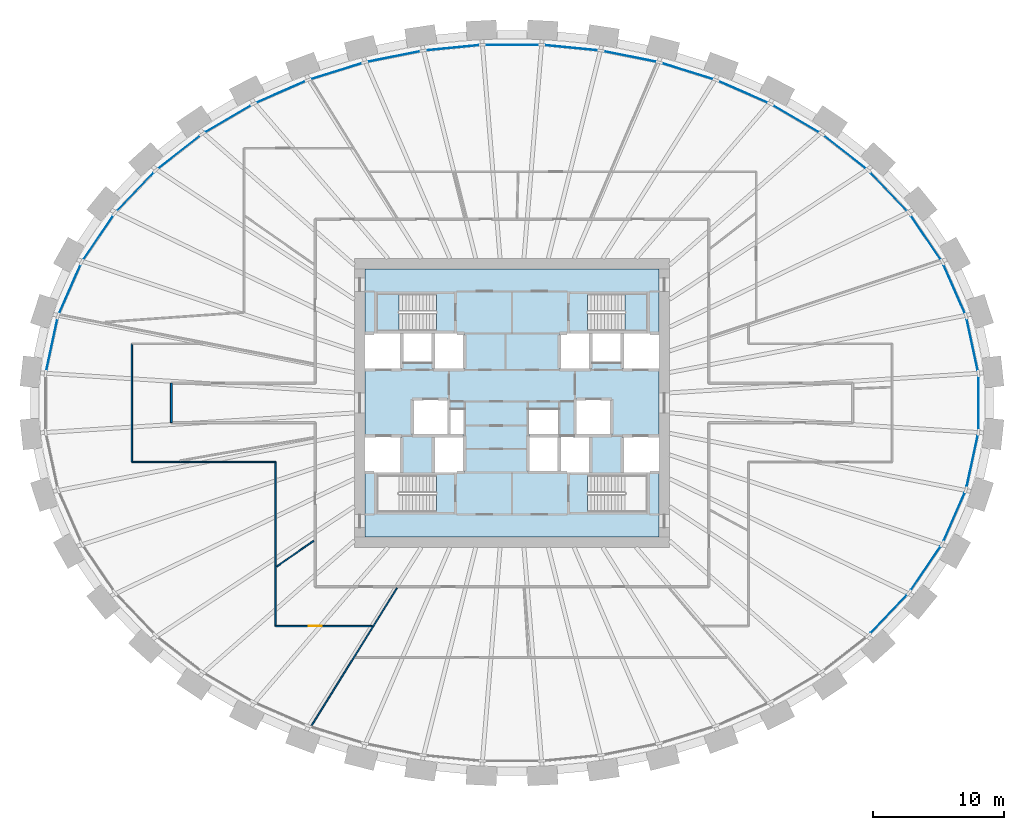
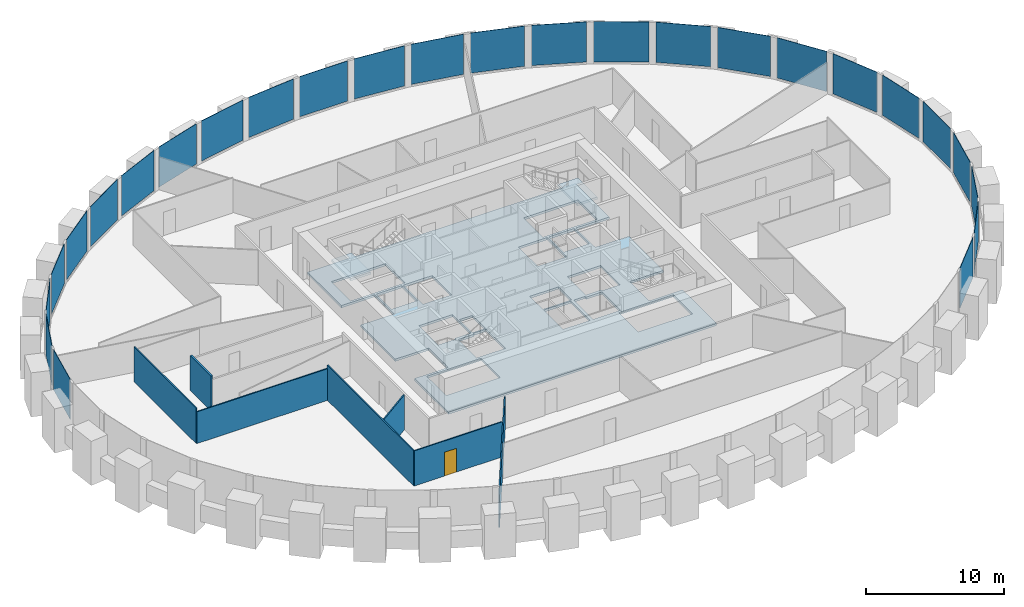
# One storey, part 5 of 11: 26 plates, 7 walls, 3 slabs, 1 door, 1 opening, 3 elements without a shape of their own.
"""IFC4 building model written with IfcOpenShell, lengths in metres."""

from ifc_helpers import new_model, si_unit, direction, frame, frame_2d, origin, origin_2d, place, context, subcontext, project, spatial, polyline, rectangle, outline, extrude, source, transform, mapped, material, layer, layer_set, type_object, element, fill, aggregate, save


model = new_model("IFC4")

# Units and contexts
model_context = context("Model", 3, precision=1e-05, world=origin(), true_north=direction((0.0, 1.0)))
body_context = subcontext(model_context, "Body", "Model", "MODEL_VIEW")
ifc_project = project(units=[si_unit("LENGTHUNIT", "METRE"), si_unit("AREAUNIT", "SQUARE_METRE"), si_unit("VOLUMEUNIT", "CUBIC_METRE"), si_unit("PLANEANGLEUNIT", "RADIAN"), si_unit("MASSUNIT", "GRAM", prefix="KILO")], contexts=[model_context])

# Site, building, storey
site_placement = place(None, origin())
site = spatial("IfcSite", under=ifc_project, at=site_placement, CompositionType="ELEMENT")
building_placement = place(site_placement, origin())
building = spatial("IfcBuilding", under=site, at=building_placement, Name="Embergate Tower", CompositionType="ELEMENT")
storey_placement = place(building_placement, frame((0.0, 0.0, 187.199951171875)))
storey = spatial("IfcBuildingStorey", under=building, at=storey_placement, Name="L42", CompositionType="ELEMENT", Elevation=187.199951171875)

# Curtain wall, plates
ifc_material_1 = material(Name="Aluminium and glass", Category="aluminium")
curtain_wall_type = type_object("IfcCurtainWallType", Name="Recessed office glazing", PredefinedType="NOTDEFINED", material=ifc_material_1)
curtain_wall_placement = place(storey_placement, origin())
curtain_wall = element("IfcCurtainWall", 1, at=curtain_wall_placement, inside=storey, type_object=curtain_wall_type, Name="Recessed office glazing ring", ObjectType="RECESSED OFFICE GLAZING", PredefinedType="USERDEFINED")
ifc_material_2 = material(Name="Triple glazing, low-emissivity coating", Category="glass")
ifc_layer_1 = layer(ifc_material_2, 0.035888671875)
ifc_layer_set_1 = layer_set([ifc_layer_1], Name="Triple glazing, low-emissivity coating")
plate_type = type_object("IfcPlateType", Name="Office glazing unit", PredefinedType="CURTAIN_PANEL", material=ifc_layer_set_1)
shared_shape_1 = source(origin(), body_context, "Body", "SweptSolid", [
    extrude(rectangle(XDim=3.961181640625, YDim=0.035888671875, at=origin_2d()), origin(), (0.0, 0.0, 1.0), 3.550048828125),
])
plate_1_placement = place(storey_placement, frame((35.046630859375, 4.4296875, 0.14990234375), z_axis=(0.0, 0.0, 1.0), x_axis=(-0.210396684915, 0.977616097953, 0.0)))
plate_1 = element("IfcPlate", 2, at=plate_1_placement, type_object=plate_type, Name="CW panel 1.1", PredefinedType="CURTAIN_PANEL", context=body_context, shape_type="MappedRepresentation", body=[
    mapped(shared_shape_1, transform((0.0, 0.0, 0.0))),
])
plate_2_placement = place(storey_placement, frame((-35.046630859375, 4.4296875, 0.14990234375), z_axis=(0.0, 0.0, 1.0), x_axis=(-0.210396684915, -0.977616097953, 0.0)))
plate_2 = element("IfcPlate", 3, at=plate_2_placement, type_object=plate_type, Name="CW panel 21.1", PredefinedType="CURTAIN_PANEL", context=body_context, shape_type="MappedRepresentation", body=[
    mapped(shared_shape_1, transform((0.0, 0.0, 0.0))),
])
plate_3_placement = place(storey_placement, frame((35.046630859375, -4.4296875, 0.14990234375), z_axis=(0.0, 0.0, 1.0), x_axis=(0.210396684915, 0.977616097953, 0.0)))
plate_3 = element("IfcPlate", 4, at=plate_3_placement, type_object=plate_type, Name="CW panel 43.1", PredefinedType="CURTAIN_PANEL", context=body_context, shape_type="MappedRepresentation", body=[
    mapped(shared_shape_1, transform((0.0, 0.0, 0.0))),
])
shared_shape_2 = source(origin(), body_context, "Body", "SweptSolid", [
    extrude(rectangle(XDim=3.96826171875, YDim=0.035888671875, at=origin_2d()), origin(), (0.0, 0.0, 1.0), 3.550048828125),
])
plate_4_placement = place(storey_placement, frame((33.673828125, 8.67529296875, 0.14990234375), z_axis=(0.0, 0.0, 1.0), x_axis=(-0.401650502798, 0.915793029894, 0.0)))
plate_4 = element("IfcPlate", 5, at=plate_4_placement, type_object=plate_type, Name="CW panel 2.1", PredefinedType="CURTAIN_PANEL", context=body_context, shape_type="MappedRepresentation", body=[
    mapped(shared_shape_2, transform((0.0, 0.0, 0.0))),
])
plate_5_placement = place(storey_placement, frame((-33.673828125, 8.67529296875, 0.14990234375), z_axis=(0.0, 0.0, 1.0), x_axis=(-0.401650502798, -0.915793029894, 0.0)))
plate_5 = element("IfcPlate", 6, at=plate_5_placement, type_object=plate_type, Name="CW panel 20.1", PredefinedType="CURTAIN_PANEL", context=body_context, shape_type="MappedRepresentation", body=[
    mapped(shared_shape_2, transform((0.0, 0.0, 0.0))),
])
plate_6_placement = place(storey_placement, frame((33.673828125, -8.67529296875, 0.14990234375), z_axis=(0.0, 0.0, 1.0), x_axis=(0.401650502798, 0.915793029894, 0.0)))
plate_6 = element("IfcPlate", 7, at=plate_6_placement, type_object=plate_type, Name="CW panel 42.1", PredefinedType="CURTAIN_PANEL", context=body_context, shape_type="MappedRepresentation", body=[
    mapped(shared_shape_2, transform((0.0, 0.0, 0.0))),
])
shared_shape_3 = source(origin(), body_context, "Body", "SweptSolid", [
    extrude(rectangle(XDim=3.976806640625, YDim=0.035888671875, at=origin_2d()), origin(), (0.0, 0.0, 1.0), 3.550048828125),
])
plate_7_placement = place(storey_placement, frame((31.508056640625, 12.589599609375, 0.14990234375), z_axis=(0.0, 0.0, 1.0), x_axis=(-0.562340298693, 0.826905912705, 0.0)))
plate_7 = element("IfcPlate", 8, at=plate_7_placement, type_object=plate_type, Name="CW panel 3.1", PredefinedType="CURTAIN_PANEL", context=body_context, shape_type="MappedRepresentation", body=[
    mapped(shared_shape_3, transform((0.0, 0.0, 0.0))),
])
plate_8_placement = place(storey_placement, frame((-31.508056640625, 12.589599609375, 0.14990234375), z_axis=(0.0, 0.0, 1.0), x_axis=(-0.562340298693, -0.826905912705, 0.0)))
plate_8 = element("IfcPlate", 9, at=plate_8_placement, type_object=plate_type, Name="CW panel 19.1", PredefinedType="CURTAIN_PANEL", context=body_context, shape_type="MappedRepresentation", body=[
    mapped(shared_shape_3, transform((0.0, 0.0, 0.0))),
])
plate_9_placement = place(storey_placement, frame((31.508056640625, -12.589599609375, 0.14990234375), z_axis=(0.0, 0.0, 1.0), x_axis=(0.562340298693, 0.826905912705, 0.0)))
plate_9 = element("IfcPlate", 10, at=plate_9_placement, type_object=plate_type, Name="CW panel 41.1", PredefinedType="CURTAIN_PANEL", context=body_context, shape_type="MappedRepresentation", body=[
    mapped(shared_shape_3, transform((0.0, 0.0, 0.0))),
])
shared_shape_4 = source(origin(), body_context, "Body", "SweptSolid", [
    extrude(rectangle(XDim=3.985595703125, YDim=0.035888671875, at=origin_2d()), origin(), (0.0, 0.0, 1.0), 3.550048828125),
])
plate_10_placement = place(storey_placement, frame((28.68896484375, 16.079345703125, 0.14990234375), z_axis=(0.0, 0.0, 1.0), x_axis=(-0.6901325214, 0.723683012724, 0.0)))
plate_10 = element("IfcPlate", 11, at=plate_10_placement, type_object=plate_type, Name="CW panel 4.1", PredefinedType="CURTAIN_PANEL", context=body_context, shape_type="MappedRepresentation", body=[
    mapped(shared_shape_4, transform((0.0, 0.0, 0.0))),
])
plate_11_placement = place(storey_placement, frame((-28.68896484375, 16.079345703125, 0.14990234375), z_axis=(0.0, 0.0, 1.0), x_axis=(-0.6901325214, -0.723683012724, 0.0)))
plate_11 = element("IfcPlate", 12, at=plate_11_placement, type_object=plate_type, Name="CW panel 18.1", PredefinedType="CURTAIN_PANEL", context=body_context, shape_type="MappedRepresentation", body=[
    mapped(shared_shape_4, transform((0.0, 0.0, 0.0))),
])
plate_12_placement = place(storey_placement, frame((28.68896484375, -16.079345703125, 0.14990234375), z_axis=(0.0, 0.0, 1.0), x_axis=(0.6901325214, 0.723683012724, 0.0)))
plate_12 = element("IfcPlate", 13, at=plate_12_placement, type_object=plate_type, Name="CW panel 40.1", PredefinedType="CURTAIN_PANEL", context=body_context, shape_type="MappedRepresentation", body=[
    mapped(shared_shape_4, transform((0.0, 0.0, 0.0))),
])
shared_shape_5 = source(origin(), body_context, "Body", "SweptSolid", [
    extrude(rectangle(XDim=3.992919921875, YDim=0.035888671875, at=origin_2d()), origin(), (0.0, 0.0, 1.0), 3.550048828125),
])
plate_13_placement = place(storey_placement, frame((25.35546875, 19.097900390625, 0.14990234375), z_axis=(0.0, 0.0, 1.0), x_axis=(-0.788317971569, 0.615268051911, 0.0)))
plate_13 = element("IfcPlate", 14, at=plate_13_placement, type_object=plate_type, Name="CW panel 5.1", PredefinedType="CURTAIN_PANEL", context=body_context, shape_type="MappedRepresentation", body=[
    mapped(shared_shape_5, transform((0.0, 0.0, 0.0))),
])
plate_14_placement = place(storey_placement, frame((-25.35546875, 19.097900390625, 0.14990234375), z_axis=(0.0, 0.0, 1.0), x_axis=(-0.788317971569, -0.615268051911, 0.0)))
plate_14 = element("IfcPlate", 15, at=plate_14_placement, type_object=plate_type, Name="CW panel 17.1", PredefinedType="CURTAIN_PANEL", context=body_context, shape_type="MappedRepresentation", body=[
    mapped(shared_shape_5, transform((0.0, 0.0, 0.0))),
])
shared_shape_6 = source(origin(), body_context, "Body", "SweptSolid", [
    extrude(rectangle(XDim=3.9990234375, YDim=0.035888671875, at=origin_2d()), origin(), (0.0, 0.0, 1.0), 3.550048828125),
])
plate_15_placement = place(storey_placement, frame((21.62890625, 21.631591796875, 0.14990234375), z_axis=(0.0, 0.0, 1.0), x_axis=(-0.862051398678, 0.50682086188, 0.0)))
plate_15 = element("IfcPlate", 16, at=plate_15_placement, type_object=plate_type, Name="CW panel 6.1", PredefinedType="CURTAIN_PANEL", context=body_context, shape_type="MappedRepresentation", body=[
    mapped(shared_shape_6, transform((0.0, 0.0, 0.0))),
])
plate_16_placement = place(storey_placement, frame((-21.62890625, 21.631591796875, 0.14990234375), z_axis=(0.0, 0.0, 1.0), x_axis=(-0.862051398678, -0.50682086188, 0.0)))
plate_16 = element("IfcPlate", 17, at=plate_16_placement, type_object=plate_type, Name="CW panel 16.1", PredefinedType="CURTAIN_PANEL", context=body_context, shape_type="MappedRepresentation", body=[
    mapped(shared_shape_6, transform((0.0, 0.0, 0.0))),
])
shared_shape_7 = source(origin(), body_context, "Body", "SweptSolid", [
    extrude(rectangle(XDim=4.00341796875, YDim=0.035888671875, at=origin_2d()), origin(), (0.0, 0.0, 1.0), 3.550048828125),
])
plate_17_placement = place(storey_placement, frame((17.608642578125, 23.682861328125, 0.14990234375), z_axis=(0.0, 0.0, 1.0), x_axis=(-0.916234813243, 0.400641694037, 0.0)))
plate_17 = element("IfcPlate", 18, at=plate_17_placement, type_object=plate_type, Name="CW panel 7.1", PredefinedType="CURTAIN_PANEL", context=body_context, shape_type="MappedRepresentation", body=[
    mapped(shared_shape_7, transform((0.0, 0.0, 0.0))),
])
plate_18_placement = place(storey_placement, frame((-17.608642578125, 23.682861328125, 0.14990234375), z_axis=(0.0, 0.0, 1.0), x_axis=(-0.916234813243, -0.400641694037, 0.0)))
plate_18 = element("IfcPlate", 19, at=plate_18_placement, type_object=plate_type, Name="CW panel 15.1", PredefinedType="CURTAIN_PANEL", context=body_context, shape_type="MappedRepresentation", body=[
    mapped(shared_shape_7, transform((0.0, 0.0, 0.0))),
])
shared_shape_8 = source(origin(), body_context, "Body", "SweptSolid", [
    extrude(rectangle(XDim=4.0068359375, YDim=0.035888671875, at=origin_2d()), origin(), (0.0, 0.0, 1.0), 3.550048828125),
])
plate_19_placement = place(storey_placement, frame((13.37548828125, 25.261962890625, 0.14990234375), z_axis=(0.0, 0.0, 1.0), x_axis=(-0.954771179262, 0.297341546458, 0.0)))
plate_19 = element("IfcPlate", 20, at=plate_19_placement, type_object=plate_type, Name="CW panel 8.1", PredefinedType="CURTAIN_PANEL", context=body_context, shape_type="MappedRepresentation", body=[
    mapped(shared_shape_8, transform((0.0, 0.0, 0.0))),
])
plate_20_placement = place(storey_placement, frame((-13.37548828125, 25.261962890625, 0.14990234375), z_axis=(0.0, 0.0, 1.0), x_axis=(-0.954771179262, -0.297341546458, 0.0)))
plate_20 = element("IfcPlate", 21, at=plate_20_placement, type_object=plate_type, Name="CW panel 14.1", PredefinedType="CURTAIN_PANEL", context=body_context, shape_type="MappedRepresentation", body=[
    mapped(shared_shape_8, transform((0.0, 0.0, 0.0))),
])
shared_shape_9 = source(origin(), body_context, "Body", "SweptSolid", [
    extrude(rectangle(XDim=4.009033203125, YDim=0.035888671875, at=origin_2d()), origin(), (0.0, 0.0, 1.0), 3.550048828125),
])
plate_21_placement = place(storey_placement, frame((8.994140625, 26.380126953125, 0.14990234375), z_axis=(0.0, 0.0, 1.0), x_axis=(-0.980475564207, 0.196640962142, 0.0)))
plate_21 = element("IfcPlate", 22, at=plate_21_placement, type_object=plate_type, Name="CW panel 9.1", PredefinedType="CURTAIN_PANEL", context=body_context, shape_type="MappedRepresentation", body=[
    mapped(shared_shape_9, transform((0.0, 0.0, 0.0))),
])
plate_22_placement = place(storey_placement, frame((-8.994140625, 26.380126953125, 0.14990234375), z_axis=(0.0, 0.0, 1.0), x_axis=(-0.980475564207, -0.196640962142, 0.0)))
plate_22 = element("IfcPlate", 23, at=plate_22_placement, type_object=plate_type, Name="CW panel 13.1", PredefinedType="CURTAIN_PANEL", context=body_context, shape_type="MappedRepresentation", body=[
    mapped(shared_shape_9, transform((0.0, 0.0, 0.0))),
])
shared_shape_10 = source(origin(), body_context, "Body", "SweptSolid", [
    extrude(rectangle(XDim=4.01025390625, YDim=0.035888671875, at=origin_2d()), origin(), (0.0, 0.0, 1.0), 3.550048828125),
])
plate_23_placement = place(storey_placement, frame((4.51953125, 27.047119140625, 0.14990234375), z_axis=(0.0, 0.0, 1.0), x_axis=(-0.995203184788, 0.097829550688, 0.0)))
plate_23 = element("IfcPlate", 24, at=plate_23_placement, type_object=plate_type, Name="CW panel 10.1", PredefinedType="CURTAIN_PANEL", context=body_context, shape_type="MappedRepresentation", body=[
    mapped(shared_shape_10, transform((0.0, 0.0, 0.0))),
])
plate_24_placement = place(storey_placement, frame((-4.51953125, 27.047119140625, 0.14990234375), z_axis=(0.0, 0.0, 1.0), x_axis=(-0.995203184788, -0.097829550688, 0.0)))
plate_24 = element("IfcPlate", 25, at=plate_24_placement, type_object=plate_type, Name="CW panel 12.1", PredefinedType="CURTAIN_PANEL", context=body_context, shape_type="MappedRepresentation", body=[
    mapped(shared_shape_10, transform((0.0, 0.0, 0.0))),
])
shared_shape_11 = source(origin(), body_context, "Body", "SweptSolid", [
    extrude(rectangle(XDim=4.010498046875, YDim=0.035888671875, at=origin_2d()), origin(), (0.0, 0.0, 1.0), 3.550048828125),
])
plate_25_placement = place(storey_placement, frame((0.0, 27.268798828125, 0.14990234375), z_axis=(0.0, 0.0, 1.0), x_axis=(-1.0, 0.0, 0.0)))
plate_25 = element("IfcPlate", 26, at=plate_25_placement, type_object=plate_type, Name="CW panel 11.1", PredefinedType="CURTAIN_PANEL", context=body_context, shape_type="MappedRepresentation", body=[
    mapped(shared_shape_11, transform((0.0, 0.0, 0.0))),
])
shared_shape_12 = source(origin(), body_context, "Body", "SweptSolid", [
    extrude(rectangle(XDim=3.95849609375, YDim=0.035888671875, at=origin_2d()), origin(), (0.0, 0.0, 1.0), 3.550048828125),
])
plate_26_placement = place(storey_placement, frame((35.51806640625, 0.0, 0.14990234375), z_axis=(0.0, 0.0, 1.0), x_axis=(0.0, 1.0, 0.0)))
plate_26 = element("IfcPlate", 27, at=plate_26_placement, type_object=plate_type, Name="CW panel 44.1", PredefinedType="CURTAIN_PANEL", context=body_context, shape_type="MappedRepresentation", body=[
    mapped(shared_shape_12, transform((0.0, 0.0, 0.0))),
])
aggregate(curtain_wall, [plate_1, plate_4, plate_7, plate_10, plate_13, plate_15, plate_17, plate_19, plate_21, plate_23, plate_25, plate_24, plate_22, plate_20, plate_18, plate_16, plate_14, plate_11, plate_8, plate_5, plate_2, plate_12, plate_9, plate_6, plate_3, plate_26])

# Stair, slab
ifc_material_3 = material(Name="Exit stair")
stair_type = type_object("IfcStairType", Name="Exit stair", PredefinedType="HALF_TURN_STAIR", material=ifc_material_3)
stair_1_placement = place(storey_placement, origin())
stair_1 = element("IfcStair", 28, at=stair_1_placement, inside=storey, type_object=stair_type, Name="L42 Exit stair 1", PredefinedType="HALF_TURN_STAIR")
ifc_material_4 = material(Name="Concrete C40", Category="concrete")
ifc_layer_2 = layer(ifc_material_4, 0.199951171875)
ifc_layer_set_2 = layer_set([ifc_layer_2], Name="Concrete C40")
slab_type_1 = type_object("IfcSlabType", Name="Stair landing reinforced concrete", PredefinedType="LANDING", material=ifc_layer_set_2)
shared_shape_13 = source(origin(), body_context, "Body", "SweptSolid", [
    extrude(outline(polyline([(0.0, 0.0), (1.68994140625, 0.0), (1.68994140625, 2.800048828125), (0.0, 2.800048828125), (0.0, 0.0)])), origin(), (0.0, 0.0, 1.0), 0.199951171875),
])
slab_1_placement = place(storey_placement, frame((-10.300048828125, 5.5, 1.75)))
slab_1 = element("IfcSlab", 29, at=slab_1_placement, type_object=slab_type_1, Name="ST1 landing 1", PredefinedType="LANDING", context=body_context, shape_type="MappedRepresentation", body=[
    mapped(shared_shape_13, transform((0.0, 0.0, 0.0))),
])
aggregate(stair_1, [slab_1])

stair_2_placement = place(storey_placement, origin())
stair_2 = element("IfcStair", 30, at=stair_2_placement, inside=storey, type_object=stair_type, Name="L42 Exit stair 2", PredefinedType="HALF_TURN_STAIR")
slab_2_placement = place(storey_placement, frame((8.610107421875, 5.5, 1.75)))
slab_2 = element("IfcSlab", 31, at=slab_2_placement, type_object=slab_type_1, Name="ST2 landing 1", PredefinedType="LANDING", context=body_context, shape_type="MappedRepresentation", body=[
    mapped(shared_shape_13, transform((0.0, 0.0, 0.0))),
])
aggregate(stair_2, [slab_2])

# Slab
ifc_layer_3 = layer(ifc_material_4, 0.199951171875)
ifc_layer_set_3 = layer_set([ifc_layer_3], Name="Concrete C40")
slab_type_2 = type_object("IfcSlabType", Name="Core floor slab 200 reinforced concrete", PredefinedType="FLOOR", material=ifc_layer_set_3)
shared_shape_14 = source(origin(), body_context, "Body", "SweptSolid", [
    extrude(outline(polyline([(0.0, 0.0), (22.39990234375, 0.0), (22.39990234375, 4.89990234375), (19.599853515625, 4.89990234375), (19.599853515625, 7.699951171875), (22.39990234375, 7.699951171875), (22.39990234375, 12.699951171875), (19.599853515625, 12.699951171875), (19.599853515625, 15.5), (22.39990234375, 15.5), (22.39990234375, 20.39990234375), (0.0, 20.39990234375), (0.0, 15.5), (2.800048828125, 15.5), (2.800048828125, 12.699951171875), (0.0, 12.699951171875), (0.0, 7.699951171875), (2.800048828125, 7.699951171875), (2.800048828125, 4.89990234375), (0.0, 4.89990234375), (0.0, 0.0)]), holes=[polyline([(0.89990234375, 1.89990234375), (0.89990234375, 4.699951171875), (5.43994140625, 4.699951171875), (5.43994140625, 1.89990234375), (0.89990234375, 1.89990234375)]), polyline([(16.9599609375, 1.89990234375), (16.9599609375, 4.699951171875), (21.5, 4.699951171875), (21.5, 1.89990234375), (16.9599609375, 1.89990234375)]), polyline([(5.199951171875, 4.89990234375), (5.199951171875, 7.574951171875), (6.52490234375, 7.574951171875), (6.52490234375, 7.699951171875), (7.599853515625, 7.699951171875), (7.599853515625, 4.89990234375), (5.199951171875, 4.89990234375)]), polyline([(12.39990234375, 4.89990234375), (12.39990234375, 7.699951171875), (14.675048828125, 7.699951171875), (14.675048828125, 4.89990234375), (12.39990234375, 4.89990234375)]), polyline([(14.925048828125, 4.89990234375), (14.925048828125, 7.699951171875), (15.875, 7.699951171875), (15.875, 7.574951171875), (17.199951171875, 7.574951171875), (17.199951171875, 4.89990234375), (14.925048828125, 4.89990234375)]), polyline([(3.599853515625, 7.699951171875), (3.599853515625, 10.5), (6.39990234375, 10.5), (6.39990234375, 7.824951171875), (5.074951171875, 7.824951171875), (5.074951171875, 7.699951171875), (3.599853515625, 7.699951171875)]), polyline([(17.324951171875, 7.699951171875), (17.324951171875, 7.824951171875), (16.0, 7.824951171875), (16.0, 10.5), (18.800048828125, 10.5), (18.800048828125, 7.699951171875), (17.324951171875, 7.699951171875)]), polyline([(6.52490234375, 7.824951171875), (6.52490234375, 9.699951171875), (7.599853515625, 9.699951171875), (7.599853515625, 7.824951171875), (6.52490234375, 7.824951171875)]), polyline([(12.39990234375, 7.824951171875), (12.39990234375, 9.699951171875), (14.800048828125, 9.699951171875), (14.800048828125, 7.824951171875), (14.675048828125, 7.824951171875), (12.39990234375, 7.824951171875)]), polyline([(5.199951171875, 12.699951171875), (5.199951171875, 15.5), (7.599853515625, 15.5), (7.599853515625, 12.699951171875), (5.199951171875, 12.699951171875)]), polyline([(14.800048828125, 12.699951171875), (14.800048828125, 15.5), (17.199951171875, 15.5), (17.199951171875, 12.699951171875), (14.800048828125, 12.699951171875)]), polyline([(2.925048828125, 13.300048828125), (2.925048828125, 15.5), (5.074951171875, 15.5), (5.074951171875, 13.300048828125), (2.925048828125, 13.300048828125)]), polyline([(17.324951171875, 13.300048828125), (17.324951171875, 15.5), (19.474853515625, 15.5), (19.474853515625, 13.300048828125), (17.324951171875, 13.300048828125)]), polyline([(0.89990234375, 15.699951171875), (0.89990234375, 18.5), (5.43994140625, 18.5), (5.43994140625, 15.699951171875), (0.89990234375, 15.699951171875)]), polyline([(16.9599609375, 15.699951171875), (16.9599609375, 18.5), (21.5, 18.5), (21.5, 15.699951171875), (16.9599609375, 15.699951171875)])]), origin(), (0.0, 0.0, 1.0), 0.199951171875),
])
slab_3_placement = place(storey_placement, frame((-11.199951171875, -10.199951171875, -0.199951171875)))
element("IfcSlab", 32, at=slab_3_placement, inside=storey, type_object=slab_type_2, Name="Core floor slab", PredefinedType="FLOOR", context=body_context, shape_type="MappedRepresentation", body=[
    mapped(shared_shape_14, transform((0.0, 0.0, 0.0))),
])

# Walls
ifc_material_5 = material(Name="Partition dry-lined 100")
ifc_layer_4 = layer(ifc_material_5, 0.10009765625)
ifc_layer_set_4 = layer_set([ifc_layer_4], Name="Partition dry-lined 100")
wall_type_1 = type_object("IfcWallType", Name="Partition dry-lined 100", PredefinedType="PARTITIONING", material=ifc_layer_set_4)
shared_shape_15 = source(origin(), body_context, "Body", "SweptSolid", [
    extrude(rectangle(XDim=10.949951171875, YDim=0.10009765625, at=frame_2d((5.47509765625, 0.0))), origin(), (0.0, 0.0, 1.0), 2.800048828125),
])
wall_1_placement = place(storey_placement, frame((-18.0, -4.5, 0.0), z_axis=(0.0, 0.0, 1.0), x_axis=(-1.0, 0.0, 0.0)))
element("IfcWall", 33, at=wall_1_placement, inside=storey, type_object=wall_type_1, Name="IP-1 wall", PredefinedType="PARTITIONING", context=body_context, shape_type="MappedRepresentation", body=[
    mapped(shared_shape_15, transform((0.0, 0.0, 0.0))),
])
ifc_material_6 = material(Name="Corridor wall dry-lined 150")
ifc_layer_5 = layer(ifc_material_6, 0.14990234375)
ifc_layer_set_5 = layer_set([ifc_layer_5], Name="Corridor wall dry-lined 150")
wall_type_2 = type_object("IfcWallType", Name="Corridor wall dry-lined 150", PredefinedType="PARTITIONING", material=ifc_layer_set_5)
shared_shape_16 = source(origin(), body_context, "Body", "SweptSolid", [
    extrude(rectangle(XDim=3.0, YDim=0.14990234375, at=frame_2d((1.5, 0.0))), origin(), (0.0, 0.0, 1.0), 3.10009765625),
])
wall_2_placement = place(storey_placement, frame((-25.949951171875, -1.5, 0.0), z_axis=(0.0, 0.0, 1.0), x_axis=(0.0, 1.0, 0.0)))
element("IfcWall", 34, at=wall_2_placement, inside=storey, type_object=wall_type_2, Name="IP-2 wall", PredefinedType="PARTITIONING", context=body_context, shape_type="MappedRepresentation", body=[
    mapped(shared_shape_16, transform((0.0, 0.0, 0.0))),
])
shared_shape_17 = source(origin(), body_context, "Body", "SweptSolid", [
    extrude(rectangle(XDim=12.42578125, YDim=0.10009765625, at=frame_2d((6.212890625, 0.0))), origin(), (0.0, 0.0, 1.0), 2.900146484375),
])
wall_3_placement = place(storey_placement, frame((-8.760009765625, -14.10107421875, 0.0), z_axis=(0.0, 0.0, 1.0), x_axis=(-0.527685134625, -0.849440050089, 0.0)))
element("IfcWall", 35, at=wall_3_placement, inside=storey, type_object=wall_type_1, Name="IP-1 wall", PredefinedType="PARTITIONING", context=body_context, shape_type="MappedRepresentation", body=[
    mapped(shared_shape_17, transform((0.0, 0.0, 0.0))),
])
shared_shape_18 = source(origin(), body_context, "Body", "SweptSolid", [
    extrude(rectangle(XDim=12.5, YDim=0.10009765625, at=frame_2d((6.25, 0.0))), origin(), (0.0, 0.0, 1.0), 3.10009765625),
])
wall_4_placement = place(storey_placement, frame((-18.0, -17.0, 0.0), z_axis=(0.0, 0.0, 1.0), x_axis=(0.0, 1.0, 0.0)))
element("IfcWall", 36, at=wall_4_placement, inside=storey, type_object=wall_type_1, Name="IP-1 wall", PredefinedType="PARTITIONING", context=body_context, shape_type="MappedRepresentation", body=[
    mapped(shared_shape_18, transform((0.0, 0.0, 0.0))),
])
shared_shape_19 = source(origin(), body_context, "Body", "SweptSolid", [
    extrude(rectangle(XDim=9.0, YDim=0.10009765625, at=frame_2d((4.5, 0.0))), origin(), (0.0, 0.0, 1.0), 3.10009765625),
])
wall_5_placement = place(storey_placement, frame((-28.949951171875, -4.5, 0.0), z_axis=(0.0, 0.0, 1.0), x_axis=(0.0, 1.0, 0.0)))
element("IfcWall", 37, at=wall_5_placement, inside=storey, type_object=wall_type_1, Name="IP-1 wall", PredefinedType="PARTITIONING", context=body_context, shape_type="MappedRepresentation", body=[
    mapped(shared_shape_19, transform((0.0, 0.0, 0.0))),
])
shared_shape_20 = source(origin(), body_context, "Body", "SweptSolid", [
    extrude(rectangle(XDim=3.43212890625, YDim=0.10009765625, at=frame_2d((1.716064453125, 0.0))), origin(), (0.0, 0.0, 1.0), 3.10009765625),
])
wall_6_placement = place(storey_placement, frame((-15.10400390625, -10.501953125, 0.0), z_axis=(0.0, 0.0, 1.0), x_axis=(-0.821102335103, -0.570781004667, 0.0)))
element("IfcWall", 38, at=wall_6_placement, inside=storey, type_object=wall_type_1, Name="IP-1 wall", PredefinedType="PARTITIONING", context=body_context, shape_type="MappedRepresentation", body=[
    mapped(shared_shape_20, transform((0.0, 0.0, 0.0))),
])

# Wall, opening, door
shared_shape_21 = source(origin(), body_context, "Body", "SweptSolid", [
    extrude(rectangle(XDim=7.34912109375, YDim=0.10009765625, at=frame_2d((3.674560546875, 0.0))), origin(), (0.0, 0.0, 1.0), 3.10009765625),
])
wall_7_placement = place(storey_placement, frame((-18.0, -17.0, 0.0), z_axis=(0.0, 0.0, 1.0), x_axis=(1.0, 0.0, 0.0)))
wall_7 = element("IfcWall", 39, at=wall_7_placement, inside=storey, type_object=wall_type_1, Name="IP-1 wall", PredefinedType="PARTITIONING", context=body_context, shape_type="MappedRepresentation", body=[
    mapped(shared_shape_21, transform((0.0, 0.0, 0.0))),
])
shared_shape_22 = source(origin(), body_context, "Body", "SweptSolid", [
    extrude(rectangle(XDim=1.0, YDim=2.10009765625, at=frame_2d((0.5, 1.050048828125))), frame((0.0, 0.06005859375, 0.0), z_axis=(0.0, -1.0, 0.0), x_axis=(1.0, 0.0, 0.0)), (0.0, 0.0, 1.0), 0.1201171875),
])
opening_placement = place(wall_7_placement, frame((2.51904296875, 0.0, 0.0)))
opening = element("IfcOpeningElement", 40, at=opening_placement, cuts=wall_7, Name="Opening ID-2", PredefinedType="OPENING", context=body_context, shape_type="MappedRepresentation", body=[
    mapped(shared_shape_22, transform((0.0, 0.0, 0.0))),
])
ifc_material_7 = material(Name="Interior door 1000")
door_type = type_object("IfcDoorType", Name="Interior door 1000", OperationType="SINGLE_SWING_LEFT", PredefinedType="DOOR", material=ifc_material_7)
shared_shape_23 = source(origin(), body_context, "Body", "SweptSolid", [
    extrude(rectangle(XDim=1.0, YDim=2.10009765625, at=frame_2d((0.5, 1.050048828125))), frame((0.0, 0.02490234375, 0.0), z_axis=(0.0, -1.0, 0.0), x_axis=(1.0, 0.0, 0.0)), (0.0, 0.0, 1.0), 0.050048828125),
])
door_placement = place(opening_placement, origin())
door = element("IfcDoor", 41, at=door_placement, inside=storey, type_object=door_type, Name="ID-2 door", OperationType="SINGLE_SWING_LEFT", OverallHeight=2.10009765625, OverallWidth=1.0, PredefinedType="DOOR", context=body_context, shape_type="MappedRepresentation", body=[
    mapped(shared_shape_23, transform((0.0, 0.0, 0.0))),
])
fill(opening, door)

save(model, "model.ifc")
